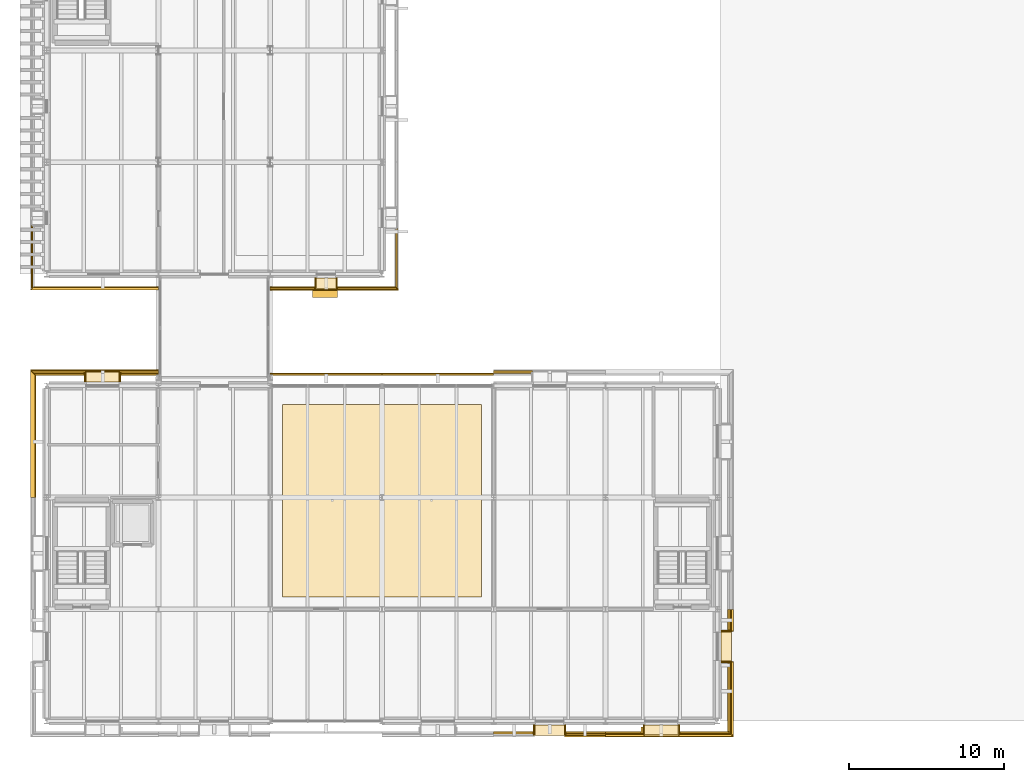
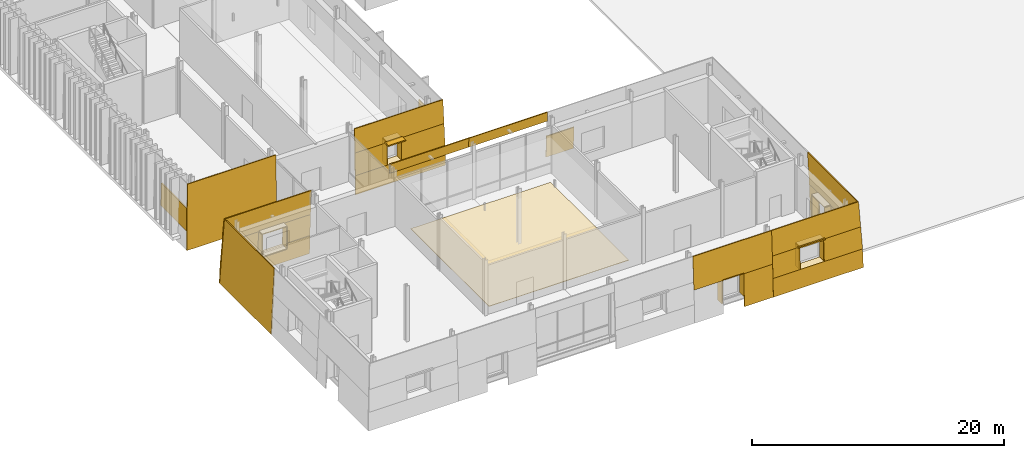
# One storey, part 99 of 120: 43 coverings, 2 shading devices.
"""IFC4 building model written with IfcOpenShell, lengths in metres."""

from ifc_helpers import new_model, si_unit, direction, frame, origin, origin_2d, place, context, subcontext, project, spatial, polyline, rectangle, outline, extrude, material, layer, layer_set, type_object, element, save


model = new_model("IFC4")

# Units and contexts
model_context = context("Model", 3, precision=1e-05, world=origin(), true_north=direction((0.0, 1.0)))
body_context = subcontext(model_context, "Body", "Model", "MODEL_VIEW")
ifc_project = project(units=[si_unit("LENGTHUNIT", "METRE"), si_unit("AREAUNIT", "SQUARE_METRE"), si_unit("VOLUMEUNIT", "CUBIC_METRE"), si_unit("PLANEANGLEUNIT", "RADIAN"), si_unit("MASSUNIT", "GRAM", prefix="KILO")], contexts=[model_context])

# Site, building, storey
site_placement = place(None, origin())
site = spatial("IfcSite", under=ifc_project, at=site_placement, CompositionType="ELEMENT")
building_placement = place(site_placement, origin())
building = spatial("IfcBuilding", under=site, at=building_placement, Name="Narikvali Park Central Library", CompositionType="ELEMENT")
storey_placement = place(building_placement, origin())
storey = spatial("IfcBuildingStorey", under=building, at=storey_placement, Name="L00", CompositionType="ELEMENT", Elevation=0.0)

# Coverings
ifc_material_1 = material(Name="White Honed Limestone Cladding", Category="masonry")
ifc_layer_1 = layer(ifc_material_1, 0.0849609375, Name="White Honed Limestone Cladding")
ifc_layer_set_1 = layer_set([ifc_layer_1], Name="White Honed Limestone Cladding")
covering_type_1 = type_object("IfcCoveringType", Name="Battered White Limestone Facade Cladding Panel", PredefinedType="CLADDING", material=ifc_layer_set_1)
covering_1_placement = place(storey_placement, frame((33.360107421875, -1.0400390625, -0.8798828125), z_axis=(0.0, -0.999301161828, 0.037378977647), x_axis=(1.0, 0.0, 0.0)))
element("IfcCovering", 1, at=covering_1_placement, inside=storey, type_object=covering_type_1, Name="V2 L00 S Battered Portal Pier R B05", PredefinedType="CLADDING", context=body_context, shape_type="SweptSolid", body=[
    extrude(outline(polyline([(0.0, 0.0), (2.639892578125, 0.0), (2.639892578125, 3.122054857985996), (0.0, 3.122054857985996), (0.0, 0.0)])), origin(), (0.0, 0.0, -1.0), 0.0849609375),
])
covering_2_placement = place(storey_placement, frame((28.800048828125, -0.92333984375, 2.239990234375), z_axis=(0.0, -0.998642865618, 0.052080965332), x_axis=(1.0, 0.0, 0.0)))
element("IfcCovering", 2, at=covering_2_placement, inside=storey, type_object=covering_type_1, Name="V2 L00 S Battered Portal Header B05", PredefinedType="CLADDING", context=body_context, shape_type="SweptSolid", body=[
    extrude(outline(polyline([(0.0, 0.0), (7.199951171875, 0.0), (7.199951171875, 3.1642063626208943), (0.0, 3.1642063626208943), (0.0, 0.0)])), origin(), (0.0, 0.0, -1.0), 0.0849609375),
])
covering_3_placement = place(storey_placement, frame((36.0, -1.0400390625, -0.8798828125), z_axis=(0.0, -0.999653349735, 0.026328318676), x_axis=(1.0, 0.0, 0.0)))
element("IfcCovering", 3, at=covering_3_placement, inside=storey, type_object=covering_type_1, Name="V2 L00 S Battered Limestone Spandrel B06", PredefinedType="CLADDING", context=body_context, shape_type="SweptSolid", body=[
    extrude(outline(polyline([(0.0, 0.0), (8.239990234375, 0.0), (8.193115234375, 1.7804023331912475), (0.0, 1.7804023331912475), (0.0, 0.0)])), origin(), (0.0, 0.0, -1.0), 0.0849609375),
])
covering_4_placement = place(storey_placement, frame((36.0, -0.883544921875, 3.0), z_axis=(0.0, -0.998646306508, 0.052014944957), x_axis=(1.0, 0.0, 0.0)))
element("IfcCovering", 4, at=covering_4_placement, inside=storey, type_object=covering_type_1, Name="V2 L00 S Battered Limestone Lintel B06", PredefinedType="CLADDING", context=body_context, shape_type="SweptSolid", body=[
    extrude(outline(polyline([(0.0, 0.0), (8.08349609375, 0.0), (7.95849609375, 2.403155479684313), (0.0, 2.403155479684313), (0.0, 0.0)])), origin(), (0.0, 0.0, -1.0), 0.0849609375),
])
covering_5_placement = place(storey_placement, frame((36.0, -0.9931640625, 0.89990234375), z_axis=(0.0, -0.998640505436, 0.05212620169), x_axis=(1.0, 0.0, 0.0)))
element("IfcCovering", 5, at=covering_5_placement, inside=storey, type_object=covering_type_1, Name="V2 L00 S Battered Limestone Jamb Pier L B06", PredefinedType="CLADDING", context=body_context, shape_type="SweptSolid", body=[
    extrude(outline(polyline([(0.0, 0.0), (2.510009765625, 0.0), (2.510009765625, 2.102956614335661), (0.0, 2.102956614335661), (0.0, 0.0)])), origin(), (0.0, 0.0, -1.0), 0.0849609375),
])
covering_6_placement = place(storey_placement, frame((40.68994140625, -0.9931640625, 0.89990234375), z_axis=(0.0, -0.998640505436, 0.05212620169), x_axis=(1.0, 0.0, 0.0)))
element("IfcCovering", 6, at=covering_6_placement, inside=storey, type_object=covering_type_1, Name="V2 L00 S Battered Limestone Jamb Pier R B06", PredefinedType="CLADDING", context=body_context, shape_type="SweptSolid", body=[
    extrude(outline(polyline([(0.0, 0.0), (3.503173828125, 0.0), (3.3935546875, 2.102956614335661), (0.0, 2.102956614335661), (0.0, 0.0)])), origin(), (0.0, 0.0, -1.0), 0.0849609375),
])
covering_7_placement = place(storey_placement, frame((44.239990234375, -0.955078125, -0.8798828125), z_axis=(0.999301161828, 0.0, 0.037378977647), x_axis=(0.0, 1.0, 0.0)))
element("IfcCovering", 7, at=covering_7_placement, inside=storey, type_object=covering_type_1, Name="V2 L00 E Battered Portal Pier L B01", PredefinedType="CLADDING", context=body_context, shape_type="SweptSolid", body=[
    extrude(outline(polyline([(0.0, 0.0), (4.795166015625, 0.0), (4.795166015625, 3.1220548579859955), (0.11669921875, 3.1220548579859955), (0.0, 0.0)])), origin(), (0.0, 0.0, -1.0), 0.0849609375),
])
covering_8_placement = place(storey_placement, frame((44.239990234375, 5.760009765625, -0.8798828125), z_axis=(0.999301161828, 0.0, 0.037378977647), x_axis=(0.0, 1.0, 0.0)))
element("IfcCovering", 8, at=covering_8_placement, inside=storey, type_object=covering_type_1, Name="V2 L00 E Battered Portal Pier R B01", PredefinedType="CLADDING", context=body_context, shape_type="SweptSolid", body=[
    extrude(outline(polyline([(0.0, 0.0), (1.43994140625, 0.0), (1.43994140625, 3.1220548579859955), (0.0, 3.1220548579859955), (0.0, 0.0)])), origin(), (0.0, 0.0, -1.0), 0.0849609375),
])
covering_9_placement = place(storey_placement, frame((44.123291015625, -0.83837890625, 2.239990234375), z_axis=(0.998642865618, 0.0, 0.052080965332), x_axis=(0.0, 1.0, 0.0)))
element("IfcCovering", 9, at=covering_9_placement, inside=storey, type_object=covering_type_1, Name="V2 L00 E Battered Portal Header B01", PredefinedType="CLADDING", context=body_context, shape_type="SweptSolid", body=[
    extrude(outline(polyline([(0.0, 0.0), (8.038330078125, 0.0), (8.038330078125, 3.164206362620894), (0.164794921875, 3.164206362620894), (0.0, 0.0)])), origin(), (0.0, 0.0, -1.0), 0.0849609375),
])
covering_10_placement = place(storey_placement, frame((31.31005859375, 22.593017578125, 0.89990234375), z_axis=(0.0, 0.998646542073, 0.052010422094), x_axis=(-1.0, 0.0, 0.0)))
element("IfcCovering", 10, at=covering_10_placement, inside=storey, type_object=covering_type_1, Name="V2 L00 N Battered Limestone Jamb Pier R B02", PredefinedType="CLADDING", context=body_context, shape_type="SweptSolid", body=[
    extrude(outline(polyline([(0.0, 0.0), (2.510009765625, 0.0), (2.510009765625, 2.1029439023454106), (0.0, 2.1029439023454106), (0.0, 0.0)])), origin(), (0.0, 0.0, -1.0), 0.0849609375),
])
covering_11_placement = place(storey_placement, frame((28.800048828125, 22.405517578125, 4.5), z_axis=(0.0, 0.998646123248, 0.052018463284), x_axis=(-1.0, 0.0, 0.0)))
element("IfcCovering", 11, at=covering_11_placement, inside=storey, type_object=covering_type_1, Name="V2 L00 N Battered Limestone Spandrel Header B03", PredefinedType="CLADDING", context=body_context, shape_type="SweptSolid", body=[
    extrude(outline(polyline([(0.0, 0.0), (7.199951171875, 0.0), (7.199951171875, 0.9011223523538537), (0.0, 0.9011223523538537), (0.0, 0.0)])), origin(), (0.0, 0.0, -1.0), 0.0849609375),
])
covering_12_placement = place(storey_placement, frame((21.60009765625, 22.405517578125, 4.5), z_axis=(0.0, 0.998646123248, 0.052018463284), x_axis=(-1.0, 0.0, 0.0)))
element("IfcCovering", 12, at=covering_12_placement, inside=storey, type_object=covering_type_1, Name="V2 L00 N Battered Limestone Spandrel Header B04", PredefinedType="CLADDING", context=body_context, shape_type="SweptSolid", body=[
    extrude(outline(polyline([(0.0, 0.0), (7.2001953125, 0.0), (7.2001953125, 0.9011223523538539), (0.0, 0.9011223523538539), (0.0, 0.0)])), origin(), (0.0, 0.0, -1.0), 0.0849609375),
])
covering_13_placement = place(storey_placement, frame((7.199951171875, 22.639892578125, -0.8798828125), z_axis=(0.0, 0.999653349735, 0.026328318676), x_axis=(-1.0, 0.0, 0.0)))
element("IfcCovering", 13, at=covering_13_placement, inside=storey, type_object=covering_type_1, Name="V2 L00 N Battered Limestone Spandrel B06", PredefinedType="CLADDING", context=body_context, shape_type="SweptSolid", body=[
    extrude(outline(polyline([(0.0, 0.0), (8.239990234375, 0.0), (8.193115234375, 1.7804023331912475), (0.0, 1.7804023331912475), (0.0, 0.0)])), origin(), (0.0, 0.0, -1.0), 0.0849609375),
])
covering_14_placement = place(storey_placement, frame((7.199951171875, 22.483642578125, 3.0), z_axis=(0.0, 0.998646306508, 0.052014944957), x_axis=(-1.0, 0.0, 0.0)))
element("IfcCovering", 14, at=covering_14_placement, inside=storey, type_object=covering_type_1, Name="V2 L00 N Battered Limestone Lintel B06", PredefinedType="CLADDING", context=body_context, shape_type="SweptSolid", body=[
    extrude(outline(polyline([(0.0, 0.0), (8.08349609375, 0.0), (7.95849609375, 2.403155479684313), (0.0, 2.403155479684313), (0.0, 0.0)])), origin(), (0.0, 0.0, -1.0), 0.0849609375),
])
covering_15_placement = place(storey_placement, frame((7.199951171875, 22.593017578125, 0.89990234375), z_axis=(0.0, 0.998646542073, 0.052010422094), x_axis=(-1.0, 0.0, 0.0)))
element("IfcCovering", 15, at=covering_15_placement, inside=storey, type_object=covering_type_1, Name="V2 L00 N Battered Limestone Jamb Pier L B06", PredefinedType="CLADDING", context=body_context, shape_type="SweptSolid", body=[
    extrude(outline(polyline([(0.0, 0.0), (2.510009765625, 0.0), (2.510009765625, 2.1029439023454106), (0.0, 2.1029439023454106), (0.0, 0.0)])), origin(), (0.0, 0.0, -1.0), 0.0849609375),
])
covering_16_placement = place(storey_placement, frame((2.510009765625, 22.593017578125, 0.89990234375), z_axis=(0.0, 0.998646542073, 0.052010422094), x_axis=(-1.0, 0.0, 0.0)))
element("IfcCovering", 16, at=covering_16_placement, inside=storey, type_object=covering_type_1, Name="V2 L00 N Battered Limestone Jamb Pier R B06", PredefinedType="CLADDING", context=body_context, shape_type="SweptSolid", body=[
    extrude(outline(polyline([(0.0, 0.0), (3.503173828125, 0.0), (3.3935546875, 2.1029439023454106), (0.0, 2.1029439023454106), (0.0, 0.0)])), origin(), (0.0, 0.0, -1.0), 0.0849609375),
])
covering_17_placement = place(storey_placement, frame((-1.0400390625, 22.554931640625, -0.8798828125), z_axis=(-0.99899685139, 0.0, 0.044780474677), x_axis=(0.0, -1.0, 0.0)))
element("IfcCovering", 17, at=covering_17_placement, inside=storey, type_object=covering_type_1, Name="V2 L00 W Battered Limestone Panel B01", PredefinedType="CLADDING", context=body_context, shape_type="SweptSolid", body=[
    extrude(outline(polyline([(0.0, 0.0), (8.155029296875, 0.0), (8.155029296875, 6.286091039737179), (0.28125, 6.286091039737179), (0.0, 0.0)])), origin(), (0.0, 0.0, -1.0), 0.0849609375),
])
covering_18_placement = place(storey_placement, frame((-1.0400390625, 27.760009765625, -0.8798828125), z_axis=(0.0, -0.999703037144, 0.024368781755), x_axis=(1.0, 0.0, 0.0)))
element("IfcCovering", 18, at=covering_18_placement, inside=storey, type_object=covering_type_1, Name="V5 L00 S Battered Limestone Panel B01", PredefinedType="CLADDING", context=body_context, shape_type="SweptSolid", body=[
    extrude(outline(polyline([(0.0, 0.0), (8.239990234375, 0.0), (8.239990234375, 6.281650573141882), (0.1533203125, 6.281650573141882), (0.0, 0.0)])), origin(), (0.0, 0.0, -1.0), 0.0849609375),
])
covering_19_placement = place(storey_placement, frame((14.39990234375, 27.760009765625, -0.8798828125), z_axis=(0.0, -0.999890351864, 0.014808249374), x_axis=(1.0, 0.0, 0.0)))
element("IfcCovering", 19, at=covering_19_placement, inside=storey, type_object=covering_type_1, Name="V5 L00 S Battered Limestone Spandrel B03", PredefinedType="CLADDING", context=body_context, shape_type="SweptSolid", body=[
    extrude(outline(polyline([(0.0, 0.0), (8.239990234375, 0.0), (8.213134765625, 1.8300346442627706), (0.0, 1.8300346442627706), (0.0, 0.0)])), origin(), (0.0, 0.0, -1.0), 0.0849609375),
])
covering_20_placement = place(storey_placement, frame((14.39990234375, 27.847900390625, 3.10009765625), z_axis=(0.0, -0.999598552146, 0.028332570427), x_axis=(1.0, 0.0, 0.0)))
element("IfcCovering", 20, at=covering_20_placement, inside=storey, type_object=covering_type_1, Name="V5 L00 S Battered Limestone Lintel B03", PredefinedType="CLADDING", context=body_context, shape_type="SweptSolid", body=[
    extrude(outline(polyline([(0.0, 0.0), (8.152099609375, 0.0), (8.0869140625, 2.3007283099419555), (0.0, 2.3007283099419555), (0.0, 0.0)])), origin(), (0.0, 0.0, -1.0), 0.0849609375),
])
covering_21_placement = place(storey_placement, frame((14.39990234375, 27.787109375, 0.949951171875), z_axis=(0.0, -0.999600559191, 0.028261671311), x_axis=(1.0, 0.0, 0.0)))
element("IfcCovering", 21, at=covering_21_placement, inside=storey, type_object=covering_type_1, Name="V5 L00 S Battered Limestone Jamb Pier L B03", PredefinedType="CLADDING", context=body_context, shape_type="SweptSolid", body=[
    extrude(outline(polyline([(0.0, 0.0), (2.960205078125, 0.0), (2.960205078125, 2.1510056838257987), (0.0, 2.1510056838257987), (0.0, 0.0)])), origin(), (0.0, 0.0, -1.0), 0.0849609375),
])
covering_22_placement = place(storey_placement, frame((18.639892578125, 27.787109375, 0.949951171875), z_axis=(0.0, -0.999600559191, 0.028261671311), x_axis=(1.0, 0.0, 0.0)))
element("IfcCovering", 22, at=covering_22_placement, inside=storey, type_object=covering_type_1, Name="V5 L00 S Battered Limestone Jamb Pier R B03", PredefinedType="CLADDING", context=body_context, shape_type="SweptSolid", body=[
    extrude(outline(polyline([(0.0, 0.0), (3.97314453125, 0.0), (3.912109375, 2.1510056838257987), (0.0, 2.1510056838257987), (0.0, 0.0)])), origin(), (0.0, 0.0, -1.0), 0.0849609375),
])
covering_23_placement = place(storey_placement, frame((22.613037109375, 27.8720703125, 0.949951171875), z_axis=(0.99959734633, 0.0, 0.028375080797), x_axis=(0.0, 1.0, 0.0)))
element("IfcCovering", 23, at=covering_23_placement, inside=storey, type_object=covering_type_1, Name="V5 L00 E Battered Limestone Jamb Pier L B01", PredefinedType="CLADDING", context=body_context, shape_type="SweptSolid", body=[
    extrude(outline(polyline([(0.0, 0.0), (3.887939453125, 0.0), (3.887939453125, 2.15101259749185), (0.060791015625, 2.15101259749185), (0.0, 0.0)])), origin(), (0.0, 0.0, -1.0), 0.0849609375),
])
covering_24_placement = place(storey_placement, frame((-1.012939453125, 31.9599609375, 0.949951171875), z_axis=(-0.999600559191, 0.0, 0.028261671311), x_axis=(0.0, -1.0, 0.0)))
element("IfcCovering", 24, at=covering_24_placement, inside=storey, type_object=covering_type_1, Name="V5 L00 W Battered Limestone Jamb Pier R B11", PredefinedType="CLADDING", context=body_context, shape_type="SweptSolid", body=[
    extrude(outline(polyline([(0.0, 0.0), (4.087890625, 0.0), (4.027099609375, 2.1510056838257987), (0.0, 2.1510056838257987), (0.0, 0.0)])), origin(), (0.0, 0.0, -1.0), 0.0849609375),
])

# Shading devices
ifc_material_2 = material(Name="Anodised Bronze Aluminium", Category="aluminium")
ifc_layer_2 = layer(ifc_material_2, 0.1201171875, Name="Anodised Bronze Aluminium")
ifc_layer_set_2 = layer_set([ifc_layer_2], Name="Anodised Bronze Aluminium")
shading_device_type = type_object("IfcShadingDeviceType", Name="Bronze Classical Cornice Sun Brise-Soleil 650", PredefinedType="SHUTTER", material=ifc_layer_set_2)
shading_device_1_placement = place(storey_placement, frame((39.52294921875, -0.719970703125, 3.0), z_axis=(0.0, 0.0, 1.0), x_axis=(1.0, 0.0, 0.0)))
element("IfcShadingDevice", 25, at=shading_device_1_placement, inside=storey, type_object=shading_device_type, Name="V2 L00 Classical Bronze Brise-Soleil 06", PredefinedType="SHUTTER", context=body_context, shape_type="SweptSolid", body=[
    extrude(rectangle(XDim=2.5, YDim=0.64990234375, at=origin_2d()), origin(), (0.0, 0.0, 1.0), 0.1201171875),
])
shading_device_2_placement = place(storey_placement, frame((17.9208984375, 27.60791015625, 3.099853515625), z_axis=(0.0, 0.0, 1.0), x_axis=(1.0, 0.0, 0.0)))
element("IfcShadingDevice", 26, at=shading_device_2_placement, inside=storey, type_object=shading_device_type, Name="V5 L00 Classical Bronze Brise-Soleil 03", PredefinedType="SHUTTER", context=body_context, shape_type="SweptSolid", body=[
    extrude(rectangle(XDim=1.60009765625, YDim=0.64990234375, at=origin_2d()), origin(), (0.0, 0.0, 1.0), 0.1201171875),
])

# Coverings
ifc_layer_3 = layer(ifc_material_1, 0.080078125, Name="White Honed Limestone Cladding")
ifc_layer_set_3 = layer_set([ifc_layer_3], Name="White Honed Limestone Cladding")
covering_type_2 = type_object("IfcCoveringType", Name="Deep Carved White Limestone Window Reveal", PredefinedType="CLADDING", material=ifc_layer_set_3)
covering_25_placement = place(storey_placement, frame((0.0, 0.0, 2.239990234375)))
element("IfcCovering", 27, at=covering_25_placement, inside=storey, type_object=covering_type_2, Name="Deep Stone Reveal Head V2-RVL-L00-S-B05", PredefinedType="CLADDING", context=body_context, shape_type="SweptSolid", body=[
    extrude(outline(polyline([(31.39990234375, -0.2451171875), (33.39990234375, -0.2451171875), (33.39990234375, -0.92333984375), (31.39990234375, -0.92333984375), (31.39990234375, -0.2451171875)])), origin(), (0.0, 0.0, 1.0), 0.080078125),
])
covering_26_placement = place(storey_placement, frame((0.0, 0.0, 0.02001953125)))
element("IfcCovering", 28, at=covering_26_placement, inside=storey, type_object=covering_type_2, Name="Deep Stone Reveal Jamb L V2-RVL-L00-S-B05", PredefinedType="CLADDING", context=body_context, shape_type="SweptSolid", body=[
    extrude(outline(polyline([(31.360107421875, -0.2451171875), (31.43994140625, -0.2451171875), (31.43994140625, -0.92333984375), (31.360107421875, -0.92333984375), (31.360107421875, -0.2451171875)])), origin(), (0.0, 0.0, 1.0), 2.219970703125),
])
covering_27_placement = place(storey_placement, frame((0.0, 0.0, 0.02001953125)))
element("IfcCovering", 29, at=covering_27_placement, inside=storey, type_object=covering_type_2, Name="Deep Stone Reveal Jamb R V2-RVL-L00-S-B05", PredefinedType="CLADDING", context=body_context, shape_type="SweptSolid", body=[
    extrude(outline(polyline([(33.360107421875, -0.2451171875), (33.43994140625, -0.2451171875), (33.43994140625, -0.92333984375), (33.360107421875, -0.92333984375), (33.360107421875, -0.2451171875)])), origin(), (0.0, 0.0, 1.0), 2.219970703125),
])
covering_28_placement = place(storey_placement, frame((0.0, 0.0, 3.0)))
element("IfcCovering", 30, at=covering_28_placement, inside=storey, type_object=covering_type_2, Name="Deep Stone Reveal Head V2-RVL-L00-S-B06", PredefinedType="CLADDING", context=body_context, shape_type="SweptSolid", body=[
    extrude(outline(polyline([(38.469970703125, -0.2451171875), (40.72998046875, -0.2451171875), (40.72998046875, -0.883544921875), (38.469970703125, -0.883544921875), (38.469970703125, -0.2451171875)])), origin(), (0.0, 0.0, 1.0), 0.080078125),
])
covering_29_placement = place(storey_placement, frame((0.0, 0.0, 0.820068359375)))
element("IfcCovering", 31, at=covering_29_placement, inside=storey, type_object=covering_type_2, Name="Deep Stone Reveal Sill V2-RVL-L00-S-B06", PredefinedType="CLADDING", context=body_context, shape_type="SweptSolid", body=[
    extrude(outline(polyline([(38.469970703125, -0.2451171875), (40.72998046875, -0.2451171875), (40.72998046875, -0.9931640625), (38.469970703125, -0.9931640625), (38.469970703125, -0.2451171875)])), origin(), (0.0, 0.0, 1.0), 0.079833984375),
])
covering_30_placement = place(storey_placement, frame((0.0, 0.0, 0.89990234375)))
element("IfcCovering", 32, at=covering_30_placement, inside=storey, type_object=covering_type_2, Name="Deep Stone Reveal Jamb L V2-RVL-L00-S-B06", PredefinedType="CLADDING", context=body_context, shape_type="SweptSolid", body=[
    extrude(outline(polyline([(38.429931640625, -0.2451171875), (38.510009765625, -0.2451171875), (38.510009765625, -0.883544921875), (38.429931640625, -0.883544921875), (38.429931640625, -0.2451171875)])), origin(), (0.0, 0.0, 1.0), 2.10009765625),
])
covering_31_placement = place(storey_placement, frame((0.0, 0.0, 0.89990234375)))
element("IfcCovering", 33, at=covering_31_placement, inside=storey, type_object=covering_type_2, Name="Deep Stone Reveal Jamb R V2-RVL-L00-S-B06", PredefinedType="CLADDING", context=body_context, shape_type="SweptSolid", body=[
    extrude(outline(polyline([(40.68994140625, -0.2451171875), (40.77001953125, -0.2451171875), (40.77001953125, -0.883544921875), (40.68994140625, -0.883544921875), (40.68994140625, -0.2451171875)])), origin(), (0.0, 0.0, 1.0), 2.10009765625),
])
covering_32_placement = place(storey_placement, frame((0.0, 0.0, 2.239990234375)))
element("IfcCovering", 34, at=covering_32_placement, inside=storey, type_object=covering_type_2, Name="Deep Stone Reveal Head V2-RVL-L00-E-B01", PredefinedType="CLADDING", context=body_context, shape_type="SweptSolid", body=[
    extrude(outline(polyline([(43.445068359375, 3.800048828125), (43.445068359375, 5.800048828125), (44.123291015625, 5.800048828125), (44.123291015625, 3.800048828125), (43.445068359375, 3.800048828125)])), origin(), (0.0, 0.0, 1.0), 0.080078125),
])
covering_33_placement = place(storey_placement, frame((0.0, 0.0, 0.02001953125)))
element("IfcCovering", 35, at=covering_33_placement, inside=storey, type_object=covering_type_2, Name="Deep Stone Reveal Jamb L V2-RVL-L00-E-B01", PredefinedType="CLADDING", context=body_context, shape_type="SweptSolid", body=[
    extrude(outline(polyline([(43.445068359375, 3.760009765625), (43.445068359375, 3.840087890625), (44.123291015625, 3.840087890625), (44.123291015625, 3.760009765625), (43.445068359375, 3.760009765625)])), origin(), (0.0, 0.0, 1.0), 2.219970703125),
])
covering_34_placement = place(storey_placement, frame((0.0, 0.0, 0.02001953125)))
element("IfcCovering", 36, at=covering_34_placement, inside=storey, type_object=covering_type_2, Name="Deep Stone Reveal Jamb R V2-RVL-L00-E-B01", PredefinedType="CLADDING", context=body_context, shape_type="SweptSolid", body=[
    extrude(outline(polyline([(43.445068359375, 5.760009765625), (43.445068359375, 5.840087890625), (44.123291015625, 5.840087890625), (44.123291015625, 5.760009765625), (43.445068359375, 5.760009765625)])), origin(), (0.0, 0.0, 1.0), 2.219970703125),
])
covering_35_placement = place(storey_placement, frame((0.0, 0.0, 3.0)))
element("IfcCovering", 37, at=covering_35_placement, inside=storey, type_object=covering_type_2, Name="Deep Stone Reveal Head V2-RVL-L00-N-B06", PredefinedType="CLADDING", context=body_context, shape_type="SweptSolid", body=[
    extrude(outline(polyline([(4.72998046875, 21.844970703125), (2.469970703125, 21.844970703125), (2.469970703125, 22.483642578125), (4.72998046875, 22.483642578125), (4.72998046875, 21.844970703125)])), origin(), (0.0, 0.0, 1.0), 0.080078125),
])
covering_36_placement = place(storey_placement, frame((0.0, 0.0, 0.820068359375)))
element("IfcCovering", 38, at=covering_36_placement, inside=storey, type_object=covering_type_2, Name="Deep Stone Reveal Sill V2-RVL-L00-N-B06", PredefinedType="CLADDING", context=body_context, shape_type="SweptSolid", body=[
    extrude(outline(polyline([(4.72998046875, 21.844970703125), (2.469970703125, 21.844970703125), (2.469970703125, 22.593017578125), (4.72998046875, 22.593017578125), (4.72998046875, 21.844970703125)])), origin(), (0.0, 0.0, 1.0), 0.079833984375),
])
covering_37_placement = place(storey_placement, frame((0.0, 0.0, 0.89990234375)))
element("IfcCovering", 39, at=covering_37_placement, inside=storey, type_object=covering_type_2, Name="Deep Stone Reveal Jamb L V2-RVL-L00-N-B06", PredefinedType="CLADDING", context=body_context, shape_type="SweptSolid", body=[
    extrude(outline(polyline([(4.77001953125, 21.844970703125), (4.68994140625, 21.844970703125), (4.68994140625, 22.483642578125), (4.77001953125, 22.483642578125), (4.77001953125, 21.844970703125)])), origin(), (0.0, 0.0, 1.0), 2.10009765625),
])
covering_38_placement = place(storey_placement, frame((0.0, 0.0, 0.89990234375)))
element("IfcCovering", 40, at=covering_38_placement, inside=storey, type_object=covering_type_2, Name="Deep Stone Reveal Jamb R V2-RVL-L00-N-B06", PredefinedType="CLADDING", context=body_context, shape_type="SweptSolid", body=[
    extrude(outline(polyline([(2.510009765625, 21.844970703125), (2.429931640625, 21.844970703125), (2.429931640625, 22.483642578125), (2.510009765625, 22.483642578125), (2.510009765625, 21.844970703125)])), origin(), (0.0, 0.0, 1.0), 2.10009765625),
])
covering_39_placement = place(storey_placement, frame((0.0, 0.0, 3.10009765625)))
element("IfcCovering", 41, at=covering_39_placement, inside=storey, type_object=covering_type_2, Name="Deep Stone Reveal Head V5-RVL-L00-S-B03", PredefinedType="CLADDING", context=body_context, shape_type="SweptSolid", body=[
    extrude(outline(polyline([(17.320068359375, 28.554931640625), (18.679931640625, 28.554931640625), (18.679931640625, 27.847900390625), (17.320068359375, 27.847900390625), (17.320068359375, 28.554931640625)])), origin(), (0.0, 0.0, 1.0), 0.079833984375),
])
covering_40_placement = place(storey_placement, frame((0.0, 0.0, 0.8701171875)))
element("IfcCovering", 42, at=covering_40_placement, inside=storey, type_object=covering_type_2, Name="Deep Stone Reveal Sill V5-RVL-L00-S-B03", PredefinedType="CLADDING", context=body_context, shape_type="SweptSolid", body=[
    extrude(outline(polyline([(17.320068359375, 28.554931640625), (18.679931640625, 28.554931640625), (18.679931640625, 27.787109375), (17.320068359375, 27.787109375), (17.320068359375, 28.554931640625)])), origin(), (0.0, 0.0, 1.0), 0.079833984375),
])
covering_41_placement = place(storey_placement, frame((0.0, 0.0, 0.949951171875)))
element("IfcCovering", 43, at=covering_41_placement, inside=storey, type_object=covering_type_2, Name="Deep Stone Reveal Jamb L V5-RVL-L00-S-B03", PredefinedType="CLADDING", context=body_context, shape_type="SweptSolid", body=[
    extrude(outline(polyline([(17.280029296875, 28.554931640625), (17.360107421875, 28.554931640625), (17.360107421875, 27.847900390625), (17.280029296875, 27.847900390625), (17.280029296875, 28.554931640625)])), origin(), (0.0, 0.0, 1.0), 2.150146484375),
])
covering_42_placement = place(storey_placement, frame((0.0, 0.0, 0.949951171875)))
element("IfcCovering", 44, at=covering_42_placement, inside=storey, type_object=covering_type_2, Name="Deep Stone Reveal Jamb R V5-RVL-L00-S-B03", PredefinedType="CLADDING", context=body_context, shape_type="SweptSolid", body=[
    extrude(outline(polyline([(18.639892578125, 28.554931640625), (18.719970703125, 28.554931640625), (18.719970703125, 27.847900390625), (18.639892578125, 27.847900390625), (18.639892578125, 28.554931640625)])), origin(), (0.0, 0.0, 1.0), 2.150146484375),
])
ifc_material_3 = material(Name="Polished Georgian Basalt Terrazzo", Category="masonry")
ifc_layer_4 = layer(ifc_material_3, 0.0400390625, Name="Polished Georgian Basalt Terrazzo")
ifc_layer_set_4 = layer_set([ifc_layer_4], Name="Polished Georgian Basalt Terrazzo")
covering_type_3 = type_object("IfcCoveringType", Name="Polished Basalt Terrazzo Floor Finish", PredefinedType="FLOORING", material=ifc_layer_set_4)
covering_43_placement = place(storey_placement, origin())
element("IfcCovering", 45, at=covering_43_placement, inside=storey, type_object=covering_type_3, Name="V2 L00 Basalt Terrazzo Flooring 03", PredefinedType="FLOORING", context=body_context, shape_type="SweptSolid", body=[
    extrude(outline(polyline([(15.199951171875, 8.0), (28.0, 8.0), (28.0, 20.39990234375), (15.199951171875, 20.39990234375), (15.199951171875, 8.0)])), origin(), (0.0, 0.0, 1.0), 0.0400390625),
])

save(model, "model.ifc")
